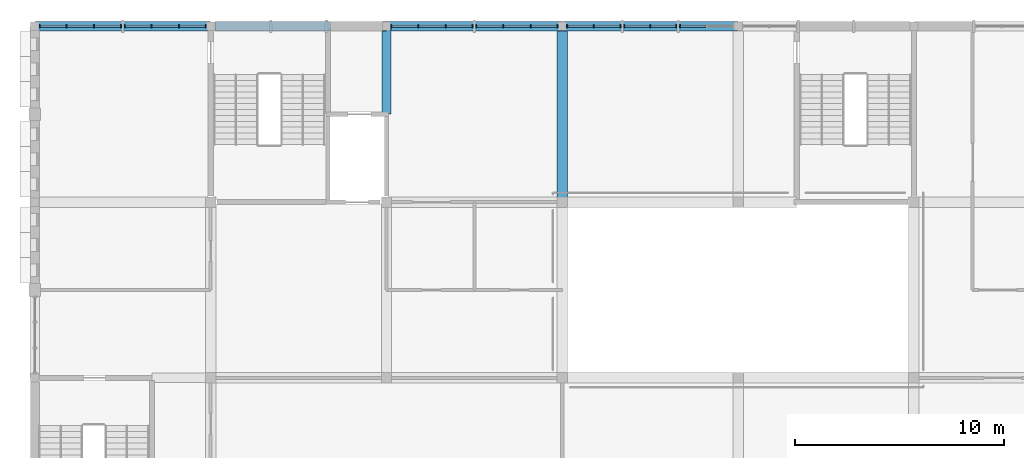
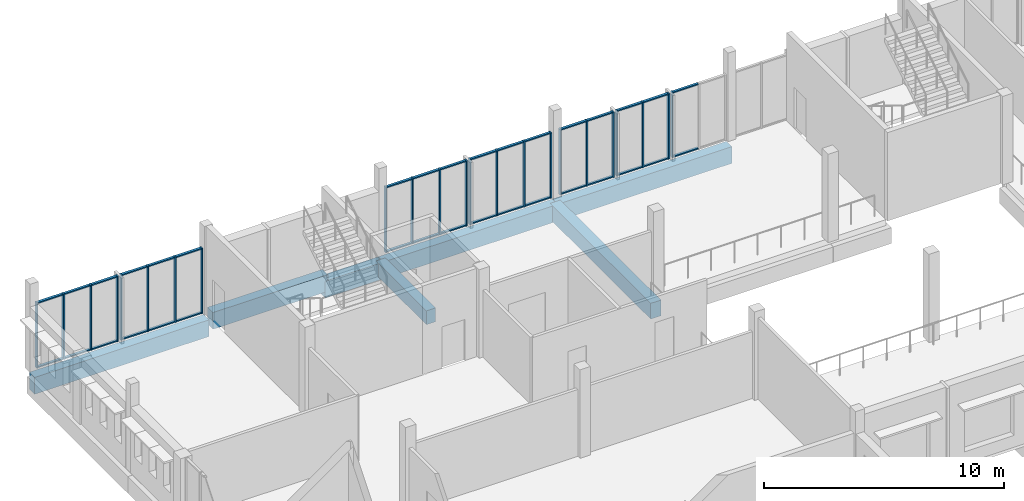
# One storey, part 10 of 38: 57 members, 7 beams, 7 elements without a shape of their own.
"""IFC4 building model written with IfcOpenShell, lengths in metres."""

from ifc_helpers import new_model, si_unit, direction, frame, origin, origin_2d, place, context, subcontext, project, spatial, rectangle, extrude, material, material_profile, profile_set, type_object, element, aggregate, save


model = new_model("IFC4")

# Units and contexts
model_context = context("Model", 3, precision=1e-05, world=origin(), true_north=direction((0.0, 1.0)))
body_context = subcontext(model_context, "Body", "Model", "MODEL_VIEW")
ifc_project = project(units=[si_unit("LENGTHUNIT", "METRE"), si_unit("AREAUNIT", "SQUARE_METRE"), si_unit("VOLUMEUNIT", "CUBIC_METRE"), si_unit("PLANEANGLEUNIT", "RADIAN"), si_unit("MASSUNIT", "GRAM", prefix="KILO")], contexts=[model_context])

# Site, building, storey
site_placement = place(None, origin())
site = spatial("IfcSite", under=ifc_project, at=site_placement, CompositionType="ELEMENT")
building_placement = place(site_placement, origin())
building = spatial("IfcBuilding", under=site, at=building_placement, Name="Fescue Hill Polytechnic", CompositionType="ELEMENT")
storey_placement = place(building_placement, frame((0.0, 0.0, 18.0)))
storey = spatial("IfcBuildingStorey", under=building, at=storey_placement, Name="L04", CompositionType="ELEMENT", Elevation=18.0)

# Beams
ifc_material_1 = material(Name="Concrete 35 MPa", Category="concrete")
ifc_material_profile_1 = material_profile(ifc_material_1, rectangle(XDim=0.449951171875, YDim=0.699951171875, at=origin_2d()), Name="RC 450x700")
ifc_profile_set_1 = profile_set([ifc_material_profile_1], Name="Concrete 35 MPa")
beam_type_1 = type_object("IfcBeamType", Name="Beam RC 450x700", PredefinedType="BEAM", material=ifc_profile_set_1)
beam_1_placement = place(storey_placement, frame((16.800048828125, 130.199951171875, -0.64990234375), z_axis=(0.0, 1.0, 0.0), x_axis=(-1.0, 0.0, 0.0)))
element("IfcBeam", 1, at=beam_1_placement, inside=storey, type_object=beam_type_1, Name="BM-L04-0042", PredefinedType="BEAM", context=body_context, shape_type="SweptSolid", body=[
    extrude(rectangle(XDim=0.449951171875, YDim=0.699951171875, at=origin_2d()), origin(), (0.0, 0.0, 1.0), 4.199951171875),
])
ifc_material_profile_2 = material_profile(ifc_material_1, rectangle(XDim=0.449951171875, YDim=0.85009765625, at=origin_2d()), Name="RC 450x850")
ifc_profile_set_2 = profile_set([ifc_material_profile_2], Name="Concrete 35 MPa")
beam_type_2 = type_object("IfcBeamType", Name="Beam RC 450x850", PredefinedType="BEAM", material=ifc_profile_set_2)
beam_2_placement = place(storey_placement, frame((0.010009765625, 134.39990234375, -0.72509765625), z_axis=(1.0, 0.0, 0.0), x_axis=(0.0, 1.0, 0.0)))
element("IfcBeam", 2, at=beam_2_placement, inside=storey, type_object=beam_type_2, Name="BM-L04-0013", PredefinedType="BEAM", context=body_context, shape_type="SweptSolid", body=[
    extrude(rectangle(XDim=0.449951171875, YDim=0.85009765625, at=origin_2d()), origin(), (0.0, 0.0, 1.0), 8.389892578125),
])
beam_3_placement = place(storey_placement, frame((14.0, 134.39990234375, -0.72509765625), z_axis=(1.0, 0.0, 0.0), x_axis=(0.0, 1.0, 0.0)))
element("IfcBeam", 3, at=beam_3_placement, inside=storey, type_object=beam_type_2, Name="BM-L04-0031", PredefinedType="BEAM", context=body_context, shape_type="SweptSolid", body=[
    extrude(rectangle(XDim=0.449951171875, YDim=0.85009765625, at=origin_2d()), origin(), (0.0, 0.0, 1.0), 2.7900390625),
])
beam_4_placement = place(storey_placement, frame((16.81005859375, 134.39990234375, -0.72509765625), z_axis=(1.0, 0.0, 0.0), x_axis=(0.0, 1.0, 0.0)))
element("IfcBeam", 4, at=beam_4_placement, inside=storey, type_object=beam_type_2, Name="BM-L04-0050", PredefinedType="BEAM", context=body_context, shape_type="SweptSolid", body=[
    extrude(rectangle(XDim=0.449951171875, YDim=0.85009765625, at=origin_2d()), origin(), (0.0, 0.0, 1.0), 8.3798828125),
])
beam_5_placement = place(storey_placement, frame((25.2099609375, 134.39990234375, -0.72509765625), z_axis=(1.0, 0.0, 0.0), x_axis=(0.0, 1.0, 0.0)))
element("IfcBeam", 5, at=beam_5_placement, inside=storey, type_object=beam_type_2, Name="BM-L04-0060", PredefinedType="BEAM", context=body_context, shape_type="SweptSolid", body=[
    extrude(rectangle(XDim=0.449951171875, YDim=0.85009765625, at=origin_2d()), origin(), (0.0, 0.0, 1.0), 8.380126953125),
])
beam_6_placement = place(storey_placement, frame((8.60009765625, 134.39990234375, -0.425048828125), z_axis=(1.0, 0.0, 0.0), x_axis=(0.0, 1.0, 0.0)))
element("IfcBeam", 6, at=beam_6_placement, inside=storey, type_object=beam_type_2, Name="BM-L04-0125", PredefinedType="BEAM", context=body_context, shape_type="SweptSolid", body=[
    extrude(rectangle(XDim=0.449951171875, YDim=0.85009765625, at=origin_2d()), origin(), (0.0, 0.0, 1.0), 5.52490234375),
])
ifc_material_profile_3 = material_profile(ifc_material_1, rectangle(XDim=0.5, YDim=0.800048828125, at=origin_2d()), Name="RC 500x800")
ifc_profile_set_3 = profile_set([ifc_material_profile_3], Name="Concrete 35 MPa")
beam_type_3 = type_object("IfcBeamType", Name="Beam RC 500x800", PredefinedType="BEAM", material=ifc_profile_set_3)
beam_7_placement = place(storey_placement, frame((25.199951171875, 126.0, -0.699951171875), z_axis=(0.0, 1.0, 0.0), x_axis=(-1.0, 0.0, 0.0)))
element("IfcBeam", 7, at=beam_7_placement, inside=storey, type_object=beam_type_3, Name="BM-L04-0058", PredefinedType="BEAM", context=body_context, shape_type="SweptSolid", body=[
    extrude(rectangle(XDim=0.5, YDim=0.800048828125, at=origin_2d()), origin(), (0.0, 0.0, 1.0), 8.39990234375),
])

# Curtain wall, member
ifc_material_2 = material(Name="Glass", Category="glass")
curtain_wall_type = type_object("IfcCurtainWallType", Name="Curtain wall structural glazing", PredefinedType="NOTDEFINED", material=ifc_material_2)
curtain_wall_1_placement = place(storey_placement, origin())
curtain_wall_1 = element("IfcCurtainWall", 8, at=curtain_wall_1_placement, inside=storey, type_object=curtain_wall_type, Name="CW-L04-V5-5", PredefinedType="NOTDEFINED")
ifc_material_3 = material(Name="Powder-coated aluminium", Category="aluminium")
ifc_material_profile_4 = material_profile(ifc_material_3, rectangle(XDim=0.159912109375, YDim=0.06005859375, at=origin_2d()), Name="Mullion aluminium 60x160")
ifc_profile_set_4 = profile_set([ifc_material_profile_4], Name="Powder-coated aluminium")
member_type_1 = type_object("IfcMemberType", Name="Mullion aluminium 60x160", PredefinedType="MULLION", material=ifc_profile_set_4)
member_1_placement = place(storey_placement, frame((30.8232421875, 134.39990234375, 0.0), z_axis=(0.0, 0.0, 1.0), x_axis=(0.0, -1.0, 0.0)))
member_1 = element("IfcMember", 9, at=member_1_placement, type_object=member_type_1, Name="CW86 mullion 3", PredefinedType="MULLION", context=body_context, shape_type="SweptSolid", body=[
    extrude(rectangle(XDim=0.159912109375, YDim=0.06005859375, at=origin_2d()), origin(), (0.0, 0.0, 1.0), 3.330078125),
])

# Curtain wall, members
curtain_wall_2_placement = place(storey_placement, origin())
curtain_wall_2 = element("IfcCurtainWall", 10, at=curtain_wall_2_placement, inside=storey, type_object=curtain_wall_type, Name="CW-L04-V5-6", PredefinedType="NOTDEFINED")
member_2_placement = place(storey_placement, frame((30.643310546875, 134.39990234375, 0.0), z_axis=(0.0, 0.0, 1.0), x_axis=(0.0, -1.0, 0.0)))
member_2 = element("IfcMember", 11, at=member_2_placement, type_object=member_type_1, Name="CW87 mullion 1", PredefinedType="MULLION", context=body_context, shape_type="SweptSolid", body=[
    extrude(rectangle(XDim=0.159912109375, YDim=0.06005859375, at=origin_2d()), origin(), (0.0, 0.0, 1.0), 3.330078125),
])
member_3_placement = place(storey_placement, frame((29.39990234375, 134.39990234375, 0.0), z_axis=(0.0, 0.0, 1.0), x_axis=(0.0, -1.0, 0.0)))
member_3 = element("IfcMember", 12, at=member_3_placement, type_object=member_type_1, Name="CW87 mullion 2", PredefinedType="MULLION", context=body_context, shape_type="SweptSolid", body=[
    extrude(rectangle(XDim=0.159912109375, YDim=0.06005859375, at=origin_2d()), origin(), (0.0, 0.0, 1.0), 3.330078125),
])
member_4_placement = place(storey_placement, frame((28.15673828125, 134.39990234375, 0.0), z_axis=(0.0, 0.0, 1.0), x_axis=(0.0, -1.0, 0.0)))
member_4 = element("IfcMember", 13, at=member_4_placement, type_object=member_type_1, Name="CW87 mullion 3", PredefinedType="MULLION", context=body_context, shape_type="SweptSolid", body=[
    extrude(rectangle(XDim=0.159912109375, YDim=0.06005859375, at=origin_2d()), origin(), (0.0, 0.0, 1.0), 3.330078125),
])

curtain_wall_3_placement = place(storey_placement, origin())
curtain_wall_3 = element("IfcCurtainWall", 14, at=curtain_wall_3_placement, inside=storey, type_object=curtain_wall_type, Name="CW-L04-V5-7", PredefinedType="NOTDEFINED")
member_5_placement = place(storey_placement, frame((27.976806640625, 134.39990234375, 0.0), z_axis=(0.0, 0.0, 1.0), x_axis=(0.0, -1.0, 0.0)))
member_5 = element("IfcMember", 15, at=member_5_placement, type_object=member_type_1, Name="CW88 mullion 1", PredefinedType="MULLION", context=body_context, shape_type="SweptSolid", body=[
    extrude(rectangle(XDim=0.159912109375, YDim=0.06005859375, at=origin_2d()), origin(), (0.0, 0.0, 1.0), 3.330078125),
])
member_6_placement = place(storey_placement, frame((26.703369140625, 134.39990234375, 0.0), z_axis=(0.0, 0.0, 1.0), x_axis=(0.0, -1.0, 0.0)))
member_6 = element("IfcMember", 16, at=member_6_placement, type_object=member_type_1, Name="CW88 mullion 2", PredefinedType="MULLION", context=body_context, shape_type="SweptSolid", body=[
    extrude(rectangle(XDim=0.159912109375, YDim=0.06005859375, at=origin_2d()), origin(), (0.0, 0.0, 1.0), 3.330078125),
])
member_7_placement = place(storey_placement, frame((25.429931640625, 134.39990234375, 0.0), z_axis=(0.0, 0.0, 1.0), x_axis=(0.0, -1.0, 0.0)))
member_7 = element("IfcMember", 17, at=member_7_placement, type_object=member_type_1, Name="CW88 mullion 3", PredefinedType="MULLION", context=body_context, shape_type="SweptSolid", body=[
    extrude(rectangle(XDim=0.159912109375, YDim=0.06005859375, at=origin_2d()), origin(), (0.0, 0.0, 1.0), 3.330078125),
])

curtain_wall_4_placement = place(storey_placement, origin())
curtain_wall_4 = element("IfcCurtainWall", 18, at=curtain_wall_4_placement, inside=storey, type_object=curtain_wall_type, Name="CW-L04-V5-8", PredefinedType="NOTDEFINED")
member_8_placement = place(storey_placement, frame((24.969970703125, 134.39990234375, 0.0), z_axis=(0.0, 0.0, 1.0), x_axis=(0.0, -1.0, 0.0)))
member_8 = element("IfcMember", 19, at=member_8_placement, type_object=member_type_1, Name="CW89 mullion 1", PredefinedType="MULLION", context=body_context, shape_type="SweptSolid", body=[
    extrude(rectangle(XDim=0.159912109375, YDim=0.06005859375, at=origin_2d()), origin(), (0.0, 0.0, 1.0), 3.330078125),
])
member_9_placement = place(storey_placement, frame((23.686767578125, 134.39990234375, 0.0), z_axis=(0.0, 0.0, 1.0), x_axis=(0.0, -1.0, 0.0)))
member_9 = element("IfcMember", 20, at=member_9_placement, type_object=member_type_1, Name="CW89 mullion 2", PredefinedType="MULLION", context=body_context, shape_type="SweptSolid", body=[
    extrude(rectangle(XDim=0.159912109375, YDim=0.06005859375, at=origin_2d()), origin(), (0.0, 0.0, 1.0), 3.330078125),
])
member_10_placement = place(storey_placement, frame((22.373291015625, 134.39990234375, 0.0), z_axis=(0.0, 0.0, 1.0), x_axis=(0.0, -1.0, 0.0)))
member_10 = element("IfcMember", 21, at=member_10_placement, type_object=member_type_1, Name="CW89 mullion 3", PredefinedType="MULLION", context=body_context, shape_type="SweptSolid", body=[
    extrude(rectangle(XDim=0.159912109375, YDim=0.06005859375, at=origin_2d()), origin(), (0.0, 0.0, 1.0), 3.330078125),
])
member_11_placement = place(storey_placement, frame((21.090087890625, 134.39990234375, 0.0), z_axis=(0.0, 0.0, 1.0), x_axis=(0.0, -1.0, 0.0)))
member_11 = element("IfcMember", 22, at=member_11_placement, type_object=member_type_1, Name="CW89 mullion 4", PredefinedType="MULLION", context=body_context, shape_type="SweptSolid", body=[
    extrude(rectangle(XDim=0.159912109375, YDim=0.06005859375, at=origin_2d()), origin(), (0.0, 0.0, 1.0), 3.330078125),
])

curtain_wall_5_placement = place(storey_placement, origin())
curtain_wall_5 = element("IfcCurtainWall", 23, at=curtain_wall_5_placement, inside=storey, type_object=curtain_wall_type, Name="CW-L04-V5-9", PredefinedType="NOTDEFINED")
member_12_placement = place(storey_placement, frame((20.909912109375, 134.39990234375, 0.0), z_axis=(0.0, 0.0, 1.0), x_axis=(0.0, -1.0, 0.0)))
member_12 = element("IfcMember", 24, at=member_12_placement, type_object=member_type_1, Name="CW90 mullion 1", PredefinedType="MULLION", context=body_context, shape_type="SweptSolid", body=[
    extrude(rectangle(XDim=0.159912109375, YDim=0.06005859375, at=origin_2d()), origin(), (0.0, 0.0, 1.0), 3.330078125),
])
member_13_placement = place(storey_placement, frame((19.626708984375, 134.39990234375, 0.0), z_axis=(0.0, 0.0, 1.0), x_axis=(0.0, -1.0, 0.0)))
member_13 = element("IfcMember", 25, at=member_13_placement, type_object=member_type_1, Name="CW90 mullion 2", PredefinedType="MULLION", context=body_context, shape_type="SweptSolid", body=[
    extrude(rectangle(XDim=0.159912109375, YDim=0.06005859375, at=origin_2d()), origin(), (0.0, 0.0, 1.0), 3.330078125),
])
member_14_placement = place(storey_placement, frame((18.313232421875, 134.39990234375, 0.0), z_axis=(0.0, 0.0, 1.0), x_axis=(0.0, -1.0, 0.0)))
member_14 = element("IfcMember", 26, at=member_14_placement, type_object=member_type_1, Name="CW90 mullion 3", PredefinedType="MULLION", context=body_context, shape_type="SweptSolid", body=[
    extrude(rectangle(XDim=0.159912109375, YDim=0.06005859375, at=origin_2d()), origin(), (0.0, 0.0, 1.0), 3.330078125),
])
member_15_placement = place(storey_placement, frame((17.030029296875, 134.39990234375, 0.0), z_axis=(0.0, 0.0, 1.0), x_axis=(0.0, -1.0, 0.0)))
member_15 = element("IfcMember", 27, at=member_15_placement, type_object=member_type_1, Name="CW90 mullion 4", PredefinedType="MULLION", context=body_context, shape_type="SweptSolid", body=[
    extrude(rectangle(XDim=0.159912109375, YDim=0.06005859375, at=origin_2d()), origin(), (0.0, 0.0, 1.0), 3.330078125),
])

curtain_wall_6_placement = place(storey_placement, origin())
curtain_wall_6 = element("IfcCurtainWall", 28, at=curtain_wall_6_placement, inside=storey, type_object=curtain_wall_type, Name="CW-L04-V5-10", PredefinedType="NOTDEFINED")
member_16_placement = place(storey_placement, frame((4.110107421875, 134.39990234375, 0.0), z_axis=(0.0, 0.0, 1.0), x_axis=(0.0, -1.0, 0.0)))
member_16 = element("IfcMember", 29, at=member_16_placement, type_object=member_type_1, Name="CW91 mullion 1", PredefinedType="MULLION", context=body_context, shape_type="SweptSolid", body=[
    extrude(rectangle(XDim=0.159912109375, YDim=0.06005859375, at=origin_2d()), origin(), (0.0, 0.0, 1.0), 3.330078125),
])
member_17_placement = place(storey_placement, frame((2.82666015625, 134.39990234375, 0.0), z_axis=(0.0, 0.0, 1.0), x_axis=(0.0, -1.0, 0.0)))
member_17 = element("IfcMember", 30, at=member_17_placement, type_object=member_type_1, Name="CW91 mullion 2", PredefinedType="MULLION", context=body_context, shape_type="SweptSolid", body=[
    extrude(rectangle(XDim=0.159912109375, YDim=0.06005859375, at=origin_2d()), origin(), (0.0, 0.0, 1.0), 3.330078125),
])
member_18_placement = place(storey_placement, frame((1.513427734375, 134.39990234375, 0.0), z_axis=(0.0, 0.0, 1.0), x_axis=(0.0, -1.0, 0.0)))
member_18 = element("IfcMember", 31, at=member_18_placement, type_object=member_type_1, Name="CW91 mullion 3", PredefinedType="MULLION", context=body_context, shape_type="SweptSolid", body=[
    extrude(rectangle(XDim=0.159912109375, YDim=0.06005859375, at=origin_2d()), origin(), (0.0, 0.0, 1.0), 3.330078125),
])
member_19_placement = place(storey_placement, frame((0.22998046875, 134.39990234375, 0.0), z_axis=(0.0, 0.0, 1.0), x_axis=(0.0, -1.0, 0.0)))
member_19 = element("IfcMember", 32, at=member_19_placement, type_object=member_type_1, Name="CW91 mullion 4", PredefinedType="MULLION", context=body_context, shape_type="SweptSolid", body=[
    extrude(rectangle(XDim=0.159912109375, YDim=0.06005859375, at=origin_2d()), origin(), (0.0, 0.0, 1.0), 3.330078125),
])

curtain_wall_7_placement = place(storey_placement, origin())
curtain_wall_7 = element("IfcCurtainWall", 33, at=curtain_wall_7_placement, inside=storey, type_object=curtain_wall_type, Name="CW-L04-V5-X3", PredefinedType="NOTDEFINED")
member_20_placement = place(storey_placement, frame((8.169921875, 134.39990234375, 0.0), z_axis=(0.0, 0.0, 1.0), x_axis=(0.0, -1.0, 0.0)))
member_20 = element("IfcMember", 34, at=member_20_placement, type_object=member_type_1, Name="CW159 mullion 1", PredefinedType="MULLION", context=body_context, shape_type="SweptSolid", body=[
    extrude(rectangle(XDim=0.159912109375, YDim=0.06005859375, at=origin_2d()), origin(), (0.0, 0.0, 1.0), 3.330078125),
])
member_21_placement = place(storey_placement, frame((6.88671875, 134.39990234375, 0.0), z_axis=(0.0, 0.0, 1.0), x_axis=(0.0, -1.0, 0.0)))
member_21 = element("IfcMember", 35, at=member_21_placement, type_object=member_type_1, Name="CW159 mullion 2", PredefinedType="MULLION", context=body_context, shape_type="SweptSolid", body=[
    extrude(rectangle(XDim=0.159912109375, YDim=0.06005859375, at=origin_2d()), origin(), (0.0, 0.0, 1.0), 3.330078125),
])
member_22_placement = place(storey_placement, frame((5.5732421875, 134.39990234375, 0.0), z_axis=(0.0, 0.0, 1.0), x_axis=(0.0, -1.0, 0.0)))
member_22 = element("IfcMember", 36, at=member_22_placement, type_object=member_type_1, Name="CW159 mullion 3", PredefinedType="MULLION", context=body_context, shape_type="SweptSolid", body=[
    extrude(rectangle(XDim=0.159912109375, YDim=0.06005859375, at=origin_2d()), origin(), (0.0, 0.0, 1.0), 3.330078125),
])
member_23_placement = place(storey_placement, frame((4.2900390625, 134.39990234375, 0.0), z_axis=(0.0, 0.0, 1.0), x_axis=(0.0, -1.0, 0.0)))
member_23 = element("IfcMember", 37, at=member_23_placement, type_object=member_type_1, Name="CW159 mullion 4", PredefinedType="MULLION", context=body_context, shape_type="SweptSolid", body=[
    extrude(rectangle(XDim=0.159912109375, YDim=0.06005859375, at=origin_2d()), origin(), (0.0, 0.0, 1.0), 3.330078125),
])

# Member
ifc_material_profile_5 = material_profile(ifc_material_3, rectangle(XDim=0.1201171875, YDim=0.06005859375, at=origin_2d()), Name="Transom aluminium 60x120")
ifc_profile_set_5 = profile_set([ifc_material_profile_5], Name="Powder-coated aluminium")
member_type_2 = type_object("IfcMemberType", Name="Transom aluminium 60x120", PredefinedType="USERDEFINED", material=ifc_profile_set_5)
member_24_placement = place(storey_placement, frame((32.066650390625, 134.39990234375, 0.030029296875), z_axis=(-1.0, 0.0, 0.0), x_axis=(0.0, -1.0, 0.0)))
member_24 = element("IfcMember", 38, at=member_24_placement, type_object=member_type_2, Name="CW86 transom 2.1", ObjectType="TRANSOM", PredefinedType="USERDEFINED", context=body_context, shape_type="SweptSolid", body=[
    extrude(rectangle(XDim=0.1201171875, YDim=0.06005859375, at=origin_2d()), origin(), (0.0, 0.0, 1.0), 1.21337890625),
])

member_25_placement = place(storey_placement, frame((32.066650390625, 134.39990234375, 3.300048828125), z_axis=(-1.0, 0.0, 0.0), x_axis=(0.0, -1.0, 0.0)))
member_25 = element("IfcMember", 39, at=member_25_placement, type_object=member_type_2, Name="CW86 transom 2.2", ObjectType="TRANSOM", PredefinedType="USERDEFINED", context=body_context, shape_type="SweptSolid", body=[
    extrude(rectangle(XDim=0.1201171875, YDim=0.06005859375, at=origin_2d()), origin(), (0.0, 0.0, 1.0), 1.21337890625),
])

aggregate(curtain_wall_1, [member_1, member_24, member_25])

member_26_placement = place(storey_placement, frame((30.61328125, 134.39990234375, 0.030029296875), z_axis=(-1.0, 0.0, 0.0), x_axis=(0.0, -1.0, 0.0)))
member_26 = element("IfcMember", 40, at=member_26_placement, type_object=member_type_2, Name="CW87 transom 1.1", ObjectType="TRANSOM", PredefinedType="USERDEFINED", context=body_context, shape_type="SweptSolid", body=[
    extrude(rectangle(XDim=0.1201171875, YDim=0.06005859375, at=origin_2d()), origin(), (0.0, 0.0, 1.0), 1.183349609375),
])

member_27_placement = place(storey_placement, frame((30.61328125, 134.39990234375, 3.300048828125), z_axis=(-1.0, 0.0, 0.0), x_axis=(0.0, -1.0, 0.0)))
member_27 = element("IfcMember", 41, at=member_27_placement, type_object=member_type_2, Name="CW87 transom 1.2", ObjectType="TRANSOM", PredefinedType="USERDEFINED", context=body_context, shape_type="SweptSolid", body=[
    extrude(rectangle(XDim=0.1201171875, YDim=0.06005859375, at=origin_2d()), origin(), (0.0, 0.0, 1.0), 1.183349609375),
])

member_28_placement = place(storey_placement, frame((29.3701171875, 134.39990234375, 0.030029296875), z_axis=(-1.0, 0.0, 0.0), x_axis=(0.0, -1.0, 0.0)))
member_28 = element("IfcMember", 42, at=member_28_placement, type_object=member_type_2, Name="CW87 transom 2.1", ObjectType="TRANSOM", PredefinedType="USERDEFINED", context=body_context, shape_type="SweptSolid", body=[
    extrude(rectangle(XDim=0.1201171875, YDim=0.06005859375, at=origin_2d()), origin(), (0.0, 0.0, 1.0), 1.183349609375),
])

member_29_placement = place(storey_placement, frame((29.3701171875, 134.39990234375, 3.300048828125), z_axis=(-1.0, 0.0, 0.0), x_axis=(0.0, -1.0, 0.0)))
member_29 = element("IfcMember", 43, at=member_29_placement, type_object=member_type_2, Name="CW87 transom 2.2", ObjectType="TRANSOM", PredefinedType="USERDEFINED", context=body_context, shape_type="SweptSolid", body=[
    extrude(rectangle(XDim=0.1201171875, YDim=0.06005859375, at=origin_2d()), origin(), (0.0, 0.0, 1.0), 1.183349609375),
])

aggregate(curtain_wall_2, [member_2, member_3, member_4, member_26, member_27, member_28, member_29])

member_30_placement = place(storey_placement, frame((27.94677734375, 134.39990234375, 0.030029296875), z_axis=(-1.0, 0.0, 0.0), x_axis=(0.0, -1.0, 0.0)))
member_30 = element("IfcMember", 44, at=member_30_placement, type_object=member_type_2, Name="CW88 transom 1.1", ObjectType="TRANSOM", PredefinedType="USERDEFINED", context=body_context, shape_type="SweptSolid", body=[
    extrude(rectangle(XDim=0.1201171875, YDim=0.06005859375, at=origin_2d()), origin(), (0.0, 0.0, 1.0), 1.21337890625),
])

member_31_placement = place(storey_placement, frame((27.94677734375, 134.39990234375, 3.300048828125), z_axis=(-1.0, 0.0, 0.0), x_axis=(0.0, -1.0, 0.0)))
member_31 = element("IfcMember", 45, at=member_31_placement, type_object=member_type_2, Name="CW88 transom 1.2", ObjectType="TRANSOM", PredefinedType="USERDEFINED", context=body_context, shape_type="SweptSolid", body=[
    extrude(rectangle(XDim=0.1201171875, YDim=0.06005859375, at=origin_2d()), origin(), (0.0, 0.0, 1.0), 1.21337890625),
])

member_32_placement = place(storey_placement, frame((26.67333984375, 134.39990234375, 0.030029296875), z_axis=(-1.0, 0.0, 0.0), x_axis=(0.0, -1.0, 0.0)))
member_32 = element("IfcMember", 46, at=member_32_placement, type_object=member_type_2, Name="CW88 transom 2.1", ObjectType="TRANSOM", PredefinedType="USERDEFINED", context=body_context, shape_type="SweptSolid", body=[
    extrude(rectangle(XDim=0.1201171875, YDim=0.06005859375, at=origin_2d()), origin(), (0.0, 0.0, 1.0), 1.21337890625),
])

member_33_placement = place(storey_placement, frame((26.67333984375, 134.39990234375, 3.300048828125), z_axis=(-1.0, 0.0, 0.0), x_axis=(0.0, -1.0, 0.0)))
member_33 = element("IfcMember", 47, at=member_33_placement, type_object=member_type_2, Name="CW88 transom 2.2", ObjectType="TRANSOM", PredefinedType="USERDEFINED", context=body_context, shape_type="SweptSolid", body=[
    extrude(rectangle(XDim=0.1201171875, YDim=0.06005859375, at=origin_2d()), origin(), (0.0, 0.0, 1.0), 1.21337890625),
])

aggregate(curtain_wall_3, [member_5, member_6, member_7, member_30, member_31, member_32, member_33])

member_34_placement = place(storey_placement, frame((24.93994140625, 134.39990234375, 0.030029296875), z_axis=(-1.0, 0.0, 0.0), x_axis=(0.0, -1.0, 0.0)))
member_34 = element("IfcMember", 48, at=member_34_placement, type_object=member_type_2, Name="CW89 transom 1.1", ObjectType="TRANSOM", PredefinedType="USERDEFINED", context=body_context, shape_type="SweptSolid", body=[
    extrude(rectangle(XDim=0.1201171875, YDim=0.06005859375, at=origin_2d()), origin(), (0.0, 0.0, 1.0), 1.223388671875),
])

member_35_placement = place(storey_placement, frame((24.93994140625, 134.39990234375, 3.300048828125), z_axis=(-1.0, 0.0, 0.0), x_axis=(0.0, -1.0, 0.0)))
member_35 = element("IfcMember", 49, at=member_35_placement, type_object=member_type_2, Name="CW89 transom 1.2", ObjectType="TRANSOM", PredefinedType="USERDEFINED", context=body_context, shape_type="SweptSolid", body=[
    extrude(rectangle(XDim=0.1201171875, YDim=0.06005859375, at=origin_2d()), origin(), (0.0, 0.0, 1.0), 1.223388671875),
])

member_36_placement = place(storey_placement, frame((23.65673828125, 134.39990234375, 0.030029296875), z_axis=(-1.0, 0.0, 0.0), x_axis=(0.0, -1.0, 0.0)))
member_36 = element("IfcMember", 50, at=member_36_placement, type_object=member_type_2, Name="CW89 transom 2.1", ObjectType="TRANSOM", PredefinedType="USERDEFINED", context=body_context, shape_type="SweptSolid", body=[
    extrude(rectangle(XDim=0.1201171875, YDim=0.06005859375, at=origin_2d()), origin(), (0.0, 0.0, 1.0), 1.25341796875),
])

member_37_placement = place(storey_placement, frame((23.65673828125, 134.39990234375, 3.300048828125), z_axis=(-1.0, 0.0, 0.0), x_axis=(0.0, -1.0, 0.0)))
member_37 = element("IfcMember", 51, at=member_37_placement, type_object=member_type_2, Name="CW89 transom 2.2", ObjectType="TRANSOM", PredefinedType="USERDEFINED", context=body_context, shape_type="SweptSolid", body=[
    extrude(rectangle(XDim=0.1201171875, YDim=0.06005859375, at=origin_2d()), origin(), (0.0, 0.0, 1.0), 1.25341796875),
])

member_38_placement = place(storey_placement, frame((22.34326171875, 134.39990234375, 0.030029296875), z_axis=(-1.0, 0.0, 0.0), x_axis=(0.0, -1.0, 0.0)))
member_38 = element("IfcMember", 52, at=member_38_placement, type_object=member_type_2, Name="CW89 transom 3.1", ObjectType="TRANSOM", PredefinedType="USERDEFINED", context=body_context, shape_type="SweptSolid", body=[
    extrude(rectangle(XDim=0.1201171875, YDim=0.06005859375, at=origin_2d()), origin(), (0.0, 0.0, 1.0), 1.22314453125),
])

member_39_placement = place(storey_placement, frame((22.34326171875, 134.39990234375, 3.300048828125), z_axis=(-1.0, 0.0, 0.0), x_axis=(0.0, -1.0, 0.0)))
member_39 = element("IfcMember", 53, at=member_39_placement, type_object=member_type_2, Name="CW89 transom 3.2", ObjectType="TRANSOM", PredefinedType="USERDEFINED", context=body_context, shape_type="SweptSolid", body=[
    extrude(rectangle(XDim=0.1201171875, YDim=0.06005859375, at=origin_2d()), origin(), (0.0, 0.0, 1.0), 1.22314453125),
])

aggregate(curtain_wall_4, [member_8, member_9, member_10, member_11, member_34, member_35, member_36, member_37, member_38, member_39])

member_40_placement = place(storey_placement, frame((20.8798828125, 134.39990234375, 0.030029296875), z_axis=(-1.0, 0.0, 0.0), x_axis=(0.0, -1.0, 0.0)))
member_40 = element("IfcMember", 54, at=member_40_placement, type_object=member_type_2, Name="CW90 transom 1.1", ObjectType="TRANSOM", PredefinedType="USERDEFINED", context=body_context, shape_type="SweptSolid", body=[
    extrude(rectangle(XDim=0.1201171875, YDim=0.06005859375, at=origin_2d()), origin(), (0.0, 0.0, 1.0), 1.22314453125),
])

member_41_placement = place(storey_placement, frame((20.8798828125, 134.39990234375, 3.300048828125), z_axis=(-1.0, 0.0, 0.0), x_axis=(0.0, -1.0, 0.0)))
member_41 = element("IfcMember", 55, at=member_41_placement, type_object=member_type_2, Name="CW90 transom 1.2", ObjectType="TRANSOM", PredefinedType="USERDEFINED", context=body_context, shape_type="SweptSolid", body=[
    extrude(rectangle(XDim=0.1201171875, YDim=0.06005859375, at=origin_2d()), origin(), (0.0, 0.0, 1.0), 1.22314453125),
])

member_42_placement = place(storey_placement, frame((19.5966796875, 134.39990234375, 0.030029296875), z_axis=(-1.0, 0.0, 0.0), x_axis=(0.0, -1.0, 0.0)))
member_42 = element("IfcMember", 56, at=member_42_placement, type_object=member_type_2, Name="CW90 transom 2.1", ObjectType="TRANSOM", PredefinedType="USERDEFINED", context=body_context, shape_type="SweptSolid", body=[
    extrude(rectangle(XDim=0.1201171875, YDim=0.06005859375, at=origin_2d()), origin(), (0.0, 0.0, 1.0), 1.25341796875),
])

member_43_placement = place(storey_placement, frame((19.5966796875, 134.39990234375, 3.300048828125), z_axis=(-1.0, 0.0, 0.0), x_axis=(0.0, -1.0, 0.0)))
member_43 = element("IfcMember", 57, at=member_43_placement, type_object=member_type_2, Name="CW90 transom 2.2", ObjectType="TRANSOM", PredefinedType="USERDEFINED", context=body_context, shape_type="SweptSolid", body=[
    extrude(rectangle(XDim=0.1201171875, YDim=0.06005859375, at=origin_2d()), origin(), (0.0, 0.0, 1.0), 1.25341796875),
])

member_44_placement = place(storey_placement, frame((18.283447265625, 134.39990234375, 0.030029296875), z_axis=(-1.0, 0.0, 0.0), x_axis=(0.0, -1.0, 0.0)))
member_44 = element("IfcMember", 58, at=member_44_placement, type_object=member_type_2, Name="CW90 transom 3.1", ObjectType="TRANSOM", PredefinedType="USERDEFINED", context=body_context, shape_type="SweptSolid", body=[
    extrude(rectangle(XDim=0.1201171875, YDim=0.06005859375, at=origin_2d()), origin(), (0.0, 0.0, 1.0), 1.223388671875),
])

member_45_placement = place(storey_placement, frame((18.283447265625, 134.39990234375, 3.300048828125), z_axis=(-1.0, 0.0, 0.0), x_axis=(0.0, -1.0, 0.0)))
member_45 = element("IfcMember", 59, at=member_45_placement, type_object=member_type_2, Name="CW90 transom 3.2", ObjectType="TRANSOM", PredefinedType="USERDEFINED", context=body_context, shape_type="SweptSolid", body=[
    extrude(rectangle(XDim=0.1201171875, YDim=0.06005859375, at=origin_2d()), origin(), (0.0, 0.0, 1.0), 1.223388671875),
])

aggregate(curtain_wall_5, [member_12, member_13, member_14, member_15, member_40, member_41, member_42, member_43, member_44, member_45])

member_46_placement = place(storey_placement, frame((4.080078125, 134.39990234375, 0.030029296875), z_axis=(-1.0, 0.0, 0.0), x_axis=(0.0, -1.0, 0.0)))
member_46 = element("IfcMember", 60, at=member_46_placement, type_object=member_type_2, Name="CW91 transom 1.1", ObjectType="TRANSOM", PredefinedType="USERDEFINED", context=body_context, shape_type="SweptSolid", body=[
    extrude(rectangle(XDim=0.1201171875, YDim=0.06005859375, at=origin_2d()), origin(), (0.0, 0.0, 1.0), 1.223388671875),
])

member_47_placement = place(storey_placement, frame((4.080078125, 134.39990234375, 3.300048828125), z_axis=(-1.0, 0.0, 0.0), x_axis=(0.0, -1.0, 0.0)))
member_47 = element("IfcMember", 61, at=member_47_placement, type_object=member_type_2, Name="CW91 transom 1.2", ObjectType="TRANSOM", PredefinedType="USERDEFINED", context=body_context, shape_type="SweptSolid", body=[
    extrude(rectangle(XDim=0.1201171875, YDim=0.06005859375, at=origin_2d()), origin(), (0.0, 0.0, 1.0), 1.223388671875),
])

member_48_placement = place(storey_placement, frame((2.796630859375, 134.39990234375, 0.030029296875), z_axis=(-1.0, 0.0, 0.0), x_axis=(0.0, -1.0, 0.0)))
member_48 = element("IfcMember", 62, at=member_48_placement, type_object=member_type_2, Name="CW91 transom 2.1", ObjectType="TRANSOM", PredefinedType="USERDEFINED", context=body_context, shape_type="SweptSolid", body=[
    extrude(rectangle(XDim=0.1201171875, YDim=0.06005859375, at=origin_2d()), origin(), (0.0, 0.0, 1.0), 1.25341796875),
])

member_49_placement = place(storey_placement, frame((2.796630859375, 134.39990234375, 3.300048828125), z_axis=(-1.0, 0.0, 0.0), x_axis=(0.0, -1.0, 0.0)))
member_49 = element("IfcMember", 63, at=member_49_placement, type_object=member_type_2, Name="CW91 transom 2.2", ObjectType="TRANSOM", PredefinedType="USERDEFINED", context=body_context, shape_type="SweptSolid", body=[
    extrude(rectangle(XDim=0.1201171875, YDim=0.06005859375, at=origin_2d()), origin(), (0.0, 0.0, 1.0), 1.25341796875),
])

member_50_placement = place(storey_placement, frame((1.4833984375, 134.39990234375, 0.030029296875), z_axis=(-1.0, 0.0, 0.0), x_axis=(0.0, -1.0, 0.0)))
member_50 = element("IfcMember", 64, at=member_50_placement, type_object=member_type_2, Name="CW91 transom 3.1", ObjectType="TRANSOM", PredefinedType="USERDEFINED", context=body_context, shape_type="SweptSolid", body=[
    extrude(rectangle(XDim=0.1201171875, YDim=0.06005859375, at=origin_2d()), origin(), (0.0, 0.0, 1.0), 1.223388671875),
])

member_51_placement = place(storey_placement, frame((1.4833984375, 134.39990234375, 3.300048828125), z_axis=(-1.0, 0.0, 0.0), x_axis=(0.0, -1.0, 0.0)))
member_51 = element("IfcMember", 65, at=member_51_placement, type_object=member_type_2, Name="CW91 transom 3.2", ObjectType="TRANSOM", PredefinedType="USERDEFINED", context=body_context, shape_type="SweptSolid", body=[
    extrude(rectangle(XDim=0.1201171875, YDim=0.06005859375, at=origin_2d()), origin(), (0.0, 0.0, 1.0), 1.223388671875),
])

aggregate(curtain_wall_6, [member_16, member_17, member_18, member_19, member_46, member_47, member_48, member_49, member_50, member_51])

member_52_placement = place(storey_placement, frame((8.139892578125, 134.39990234375, 0.030029296875), z_axis=(-1.0, 0.0, 0.0), x_axis=(0.0, -1.0, 0.0)))
member_52 = element("IfcMember", 66, at=member_52_placement, type_object=member_type_2, Name="CW159 transom 1.1", ObjectType="TRANSOM", PredefinedType="USERDEFINED", context=body_context, shape_type="SweptSolid", body=[
    extrude(rectangle(XDim=0.1201171875, YDim=0.06005859375, at=origin_2d()), origin(), (0.0, 0.0, 1.0), 1.22314453125),
])

member_53_placement = place(storey_placement, frame((8.139892578125, 134.39990234375, 3.300048828125), z_axis=(-1.0, 0.0, 0.0), x_axis=(0.0, -1.0, 0.0)))
member_53 = element("IfcMember", 67, at=member_53_placement, type_object=member_type_2, Name="CW159 transom 1.2", ObjectType="TRANSOM", PredefinedType="USERDEFINED", context=body_context, shape_type="SweptSolid", body=[
    extrude(rectangle(XDim=0.1201171875, YDim=0.06005859375, at=origin_2d()), origin(), (0.0, 0.0, 1.0), 1.22314453125),
])

member_54_placement = place(storey_placement, frame((6.856689453125, 134.39990234375, 0.030029296875), z_axis=(-1.0, 0.0, 0.0), x_axis=(0.0, -1.0, 0.0)))
member_54 = element("IfcMember", 68, at=member_54_placement, type_object=member_type_2, Name="CW159 transom 2.1", ObjectType="TRANSOM", PredefinedType="USERDEFINED", context=body_context, shape_type="SweptSolid", body=[
    extrude(rectangle(XDim=0.1201171875, YDim=0.06005859375, at=origin_2d()), origin(), (0.0, 0.0, 1.0), 1.25341796875),
])

member_55_placement = place(storey_placement, frame((6.856689453125, 134.39990234375, 3.300048828125), z_axis=(-1.0, 0.0, 0.0), x_axis=(0.0, -1.0, 0.0)))
member_55 = element("IfcMember", 69, at=member_55_placement, type_object=member_type_2, Name="CW159 transom 2.2", ObjectType="TRANSOM", PredefinedType="USERDEFINED", context=body_context, shape_type="SweptSolid", body=[
    extrude(rectangle(XDim=0.1201171875, YDim=0.06005859375, at=origin_2d()), origin(), (0.0, 0.0, 1.0), 1.25341796875),
])

member_56_placement = place(storey_placement, frame((5.543212890625, 134.39990234375, 0.030029296875), z_axis=(-1.0, 0.0, 0.0), x_axis=(0.0, -1.0, 0.0)))
member_56 = element("IfcMember", 70, at=member_56_placement, type_object=member_type_2, Name="CW159 transom 3.1", ObjectType="TRANSOM", PredefinedType="USERDEFINED", context=body_context, shape_type="SweptSolid", body=[
    extrude(rectangle(XDim=0.1201171875, YDim=0.06005859375, at=origin_2d()), origin(), (0.0, 0.0, 1.0), 1.22314453125),
])

member_57_placement = place(storey_placement, frame((5.543212890625, 134.39990234375, 3.300048828125), z_axis=(-1.0, 0.0, 0.0), x_axis=(0.0, -1.0, 0.0)))
member_57 = element("IfcMember", 71, at=member_57_placement, type_object=member_type_2, Name="CW159 transom 3.2", ObjectType="TRANSOM", PredefinedType="USERDEFINED", context=body_context, shape_type="SweptSolid", body=[
    extrude(rectangle(XDim=0.1201171875, YDim=0.06005859375, at=origin_2d()), origin(), (0.0, 0.0, 1.0), 1.22314453125),
])

aggregate(curtain_wall_7, [member_20, member_21, member_22, member_23, member_52, member_53, member_54, member_55, member_56, member_57])

save(model, "model.ifc")
